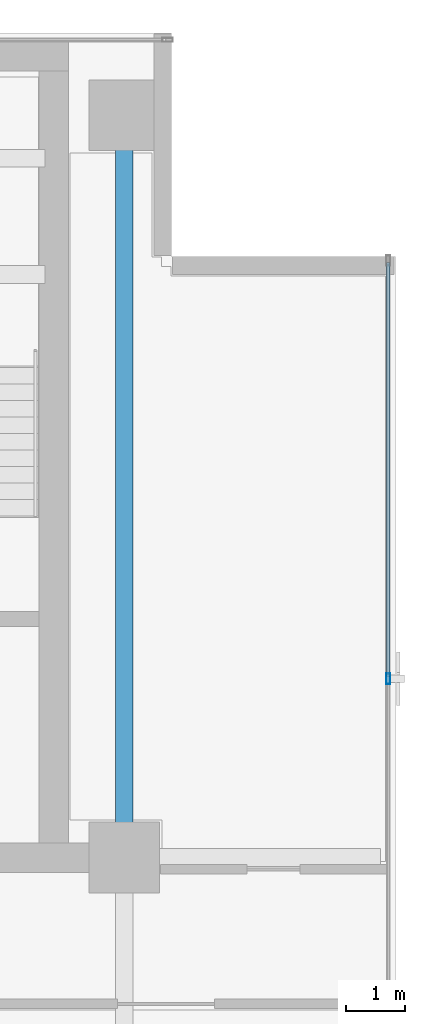
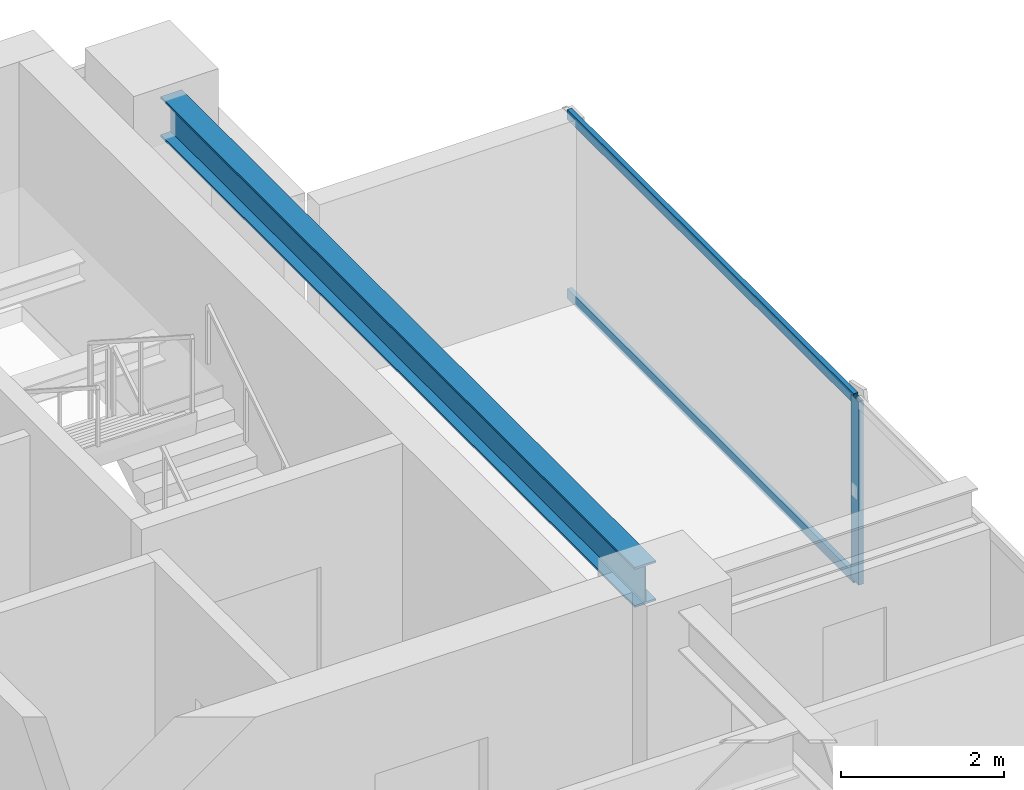
# One storey, part 10 of 22: 3 members, 1 beam, 1 element without a shape of its own.
"""IFC4 building model written with IfcOpenShell, lengths in metres."""

from ifc_helpers import new_model, si_unit, direction, frame, origin, origin_2d, place, context, subcontext, project, spatial, hollow_rectangle, i_section, extrude, source, transform, mapped, material, layer, layer_set, material_profile, profile_set, type_object, element, aggregate, save


model = new_model("IFC4")

# Units and contexts
model_context = context("Model", 3, precision=1e-05, world=origin(), true_north=direction((0.0, 1.0)))
body_context = subcontext(model_context, "Body", "Model", "MODEL_VIEW")
ifc_project = project(units=[si_unit("LENGTHUNIT", "METRE"), si_unit("AREAUNIT", "SQUARE_METRE"), si_unit("VOLUMEUNIT", "CUBIC_METRE"), si_unit("PLANEANGLEUNIT", "RADIAN"), si_unit("MASSUNIT", "GRAM", prefix="KILO")], contexts=[model_context])

# Site, building, storey
site_placement = place(None, origin())
site = spatial("IfcSite", under=ifc_project, at=site_placement, CompositionType="ELEMENT")
building_placement = place(site_placement, origin())
building = spatial("IfcBuilding", under=site, at=building_placement, Name="Sumidabori Civic Tower", CompositionType="ELEMENT")
storey_placement = place(building_placement, frame((0.0, 0.0, 286.39990234375)))
storey = spatial("IfcBuildingStorey", under=building, at=storey_placement, Name="L75", CompositionType="ELEMENT", Elevation=286.39990234375)

# Beam
ifc_material_1 = material(Name="Steel SN490", Category="steel")
ifc_material_profile_1 = material_profile(ifc_material_1, i_section(OverallWidth=0.300048828125, OverallDepth=0.60009765625, WebThickness=0.015380859375, FlangeThickness=0.030029296875, at=origin_2d()), Name="HE 600 B")
ifc_profile_set_1 = profile_set([ifc_material_profile_1], Name="Steel SN490")
beam_type = type_object("IfcBeamType", Name="BM-GIRD-600", PredefinedType="BEAM", material=ifc_profile_set_1)
shared_shape_1 = source(origin(), body_context, "Body", "SweptSolid", [
    extrude(i_section(OverallWidth=0.300048828125, OverallDepth=0.60009765625, WebThickness=0.015380859375, FlangeThickness=0.030029296875, at=origin_2d()), origin(), (0.0, 0.0, 1.0), 11.64013671875),
])
beam_placement = place(storey_placement, frame((16.800048828125, 10.679931640625, 3.070068359375), z_axis=(0.0, 1.0, 0.0), x_axis=(-1.0, 0.0, 0.0)))
element("IfcBeam", 1, at=beam_placement, inside=storey, type_object=beam_type, Name="Primary Girder L75 GY-17", PredefinedType="BEAM", context=body_context, shape_type="MappedRepresentation", body=[
    mapped(shared_shape_1, transform((0.0, 0.0, 0.0), x_axis=(1.0, 0.0, 0.0), y_axis=(0.0, 1.0, 0.0), z_axis=(0.0, 0.0, 1.0), scale=1.0)),
])

# Curtain wall, members
ifc_material_2 = material(Name="Anodised Bronze Aluminium AW-6063-T6", Category="aluminium")
ifc_layer = layer(ifc_material_2, 0.179931640625, Name="Anodised Bronze Aluminium AW-6063-T6")
ifc_layer_set = layer_set([ifc_layer], Name="Anodised Bronze Aluminium AW-6063-T6")
curtain_wall_type = type_object("IfcCurtainWallType", Name="CW-SYS-6", PredefinedType="NOTDEFINED", material=ifc_layer_set)
curtain_wall_placement = place(storey_placement, origin())
curtain_wall = element("IfcCurtainWall", 2, at=curtain_wall_placement, inside=storey, type_object=curtain_wall_type, Name="Curtain Wall CW:L75:R04", PredefinedType="NOTDEFINED")
ifc_material_profile_2 = material_profile(ifc_material_2, hollow_rectangle(XDim=0.070068359375, YDim=0.179931640625, WallThickness=0.006103515625, at=origin_2d()), Name="ALU MULLION 180x70")
ifc_profile_set_2 = profile_set([ifc_material_profile_2], Name="Anodised Bronze Aluminium AW-6063-T6")
member_type_1 = type_object("IfcMemberType", Name="CW-MUL-180", PredefinedType="MULLION", material=ifc_profile_set_2)
shared_shape_2 = source(origin(), body_context, "Body", "SweptSolid", [
    extrude(hollow_rectangle(XDim=0.070068359375, YDim=0.179931640625, WallThickness=0.006103515625, at=origin_2d()), origin(), (0.0, 0.0, 1.0), 2.75),
])
member_1_placement = place(storey_placement, frame((21.280029296875, 13.235107421875, 0.0), z_axis=(0.0, 0.0, 1.0), x_axis=(-1.0, 0.0, 0.0)))
member_1 = element("IfcMember", 3, at=member_1_placement, type_object=member_type_1, Name="CW-6 mullion 4", PredefinedType="MULLION", context=body_context, shape_type="MappedRepresentation", body=[
    mapped(shared_shape_2, transform((0.0, 0.0, 0.0), x_axis=(1.0, 0.0, 0.0), y_axis=(0.0, 1.0, 0.0), z_axis=(0.0, 0.0, 1.0), scale=1.0)),
])
ifc_material_profile_3 = material_profile(ifc_material_2, hollow_rectangle(XDim=0.06494140625, YDim=0.14990234375, WallThickness=0.0048828125, at=origin_2d()), Name="ALU TRANSOM 150x65")
ifc_profile_set_3 = profile_set([ifc_material_profile_3], Name="Anodised Bronze Aluminium AW-6063-T6")
member_type_2 = type_object("IfcMemberType", Name="CW-TRN-150", PredefinedType="USERDEFINED", material=ifc_profile_set_3)
shared_shape_3 = source(origin(), body_context, "Body", "SweptSolid", [
    extrude(hollow_rectangle(XDim=0.06494140625, YDim=0.14990234375, WallThickness=0.0048828125, at=origin_2d()), origin(), (0.0, 0.0, 1.0), 7.030029296875),
])
member_2_placement = place(storey_placement, frame((21.280029296875, 13.27001953125, 0.03271484375), z_axis=(0.0, 1.0, 0.0), x_axis=(-1.0, 0.0, 0.0)))
member_2 = element("IfcMember", 4, at=member_2_placement, type_object=member_type_2, Name="CW-6 transom 4.1", ObjectType="TRANSOM", PredefinedType="USERDEFINED", context=body_context, shape_type="MappedRepresentation", body=[
    mapped(shared_shape_3, transform((0.0, 0.0, 0.0), x_axis=(1.0, 0.0, 0.0), y_axis=(0.0, 1.0, 0.0), z_axis=(0.0, 0.0, 1.0), scale=1.0)),
])
member_3_placement = place(storey_placement, frame((21.280029296875, 13.27001953125, 2.717529296875), z_axis=(0.0, 1.0, 0.0), x_axis=(-1.0, 0.0, 0.0)))
member_3 = element("IfcMember", 5, at=member_3_placement, type_object=member_type_2, Name="CW-6 transom 4.2", ObjectType="TRANSOM", PredefinedType="USERDEFINED", context=body_context, shape_type="MappedRepresentation", body=[
    mapped(shared_shape_3, transform((0.0, 0.0, 0.0), x_axis=(1.0, 0.0, 0.0), y_axis=(0.0, 1.0, 0.0), z_axis=(0.0, 0.0, 1.0), scale=1.0)),
])
aggregate(curtain_wall, [member_1, member_2, member_3])

save(model, "model.ifc")
